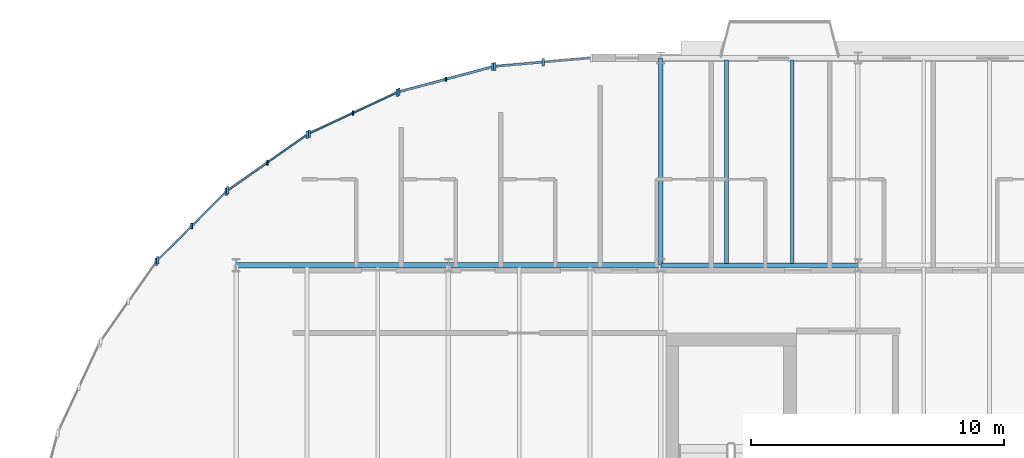
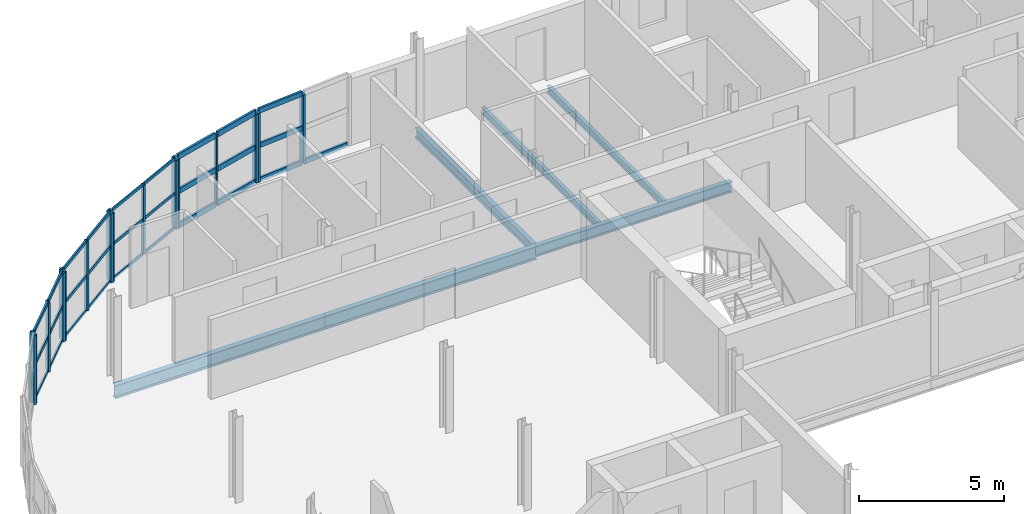
# One storey, part 11 of 36: 43 members, 6 beams, 6 elements without a shape of their own.
"""IFC4 building model written with IfcOpenShell, lengths in metres."""

import ifcopenshell
import ifcopenshell.guid

model = None  # the IFC model being written
_history = None  # IfcOwnerHistory: only IFC2X3 demands one
_inside = {}  # id of a spatial element -> (the spatial element, [elements in it])
_under = {}  # id of a project, library or spatial element -> (it, [spatial elements below it])
_declared = {}  # id of a project -> (the project, [libraries it declares])
_typed = {}  # id of a type object -> (the type object, [elements of that type])
_made_of = {}  # id of a material, layer set ... -> (it, [elements and type objects made of it])


def new_model(schema):
    """Start an empty IFC model of exactly this schema.

    Asked for "IFC4X3", IfcOpenShell would pick the latest addendum, in which some entities
    have other attributes; the version numbers below select the first issue.
    IFC2X3 requires an IfcOwnerHistory on every rooted entity: one is made here for all.
    """
    global model, _history
    if schema == "IFC4X3":
        model = ifcopenshell.file(schema_version=(4, 3, 0, 0))
    else:
        model = ifcopenshell.file(schema=schema)
    _inside.clear()
    _under.clear()
    _declared.clear()
    _typed.clear()
    _made_of.clear()
    _history = None
    if model.schema == "IFC2X3":
        org = make("IfcOrganization", Name="unknown")
        user = make(
            "IfcPersonAndOrganization",
            ThePerson=make("IfcPerson", FamilyName="unknown"),
            TheOrganization=org,
        )
        app = make(
            "IfcApplication",
            ApplicationDeveloper=org,
            Version="unknown",
            ApplicationFullName="unknown",
            ApplicationIdentifier="unknown",
        )
        _history = make(
            "IfcOwnerHistory",
            OwningUser=user,
            OwningApplication=app,
            ChangeAction="ADDED",
            CreationDate=0,
        )
    return model


def make(cls, **values):
    """One entity of the class cls with the attributes given. An attribute that is None is left unset."""
    return model.create_entity(
        cls, **{name: value for name, value in values.items() if value is not None}
    )


def rooted(cls, **values):
    """An entity with a GlobalId (a new one), such as an element, a storey or a relation."""
    return make(cls, GlobalId=ifcopenshell.guid.new(), OwnerHistory=_history, **values)


def si_unit(unit_type, name, prefix=None):
    """IfcSIUnit, for example si_unit("LENGTHUNIT", "METRE", prefix="MILLI")."""
    return make("IfcSIUnit", UnitType=unit_type, Prefix=prefix, Name=name)


def assignment(units):
    """IfcUnitAssignment: the units of a project."""
    return None if units is None else make("IfcUnitAssignment", Units=units)


def point(xyz):
    """IfcCartesianPoint."""
    return None if xyz is None else make("IfcCartesianPoint", Coordinates=xyz)


def direction(xyz):
    """IfcDirection."""
    return None if xyz is None else make("IfcDirection", DirectionRatios=xyz)


def frame(location, z_axis=None, x_axis=None):
    """IfcAxis2Placement3D, a coordinate frame: its origin and axes. An axis left out is left unset."""
    return make(
        "IfcAxis2Placement3D",
        Location=point(location),
        Axis=direction(z_axis),
        RefDirection=direction(x_axis),
    )


def frame_2d(location, x_axis=None):
    """IfcAxis2Placement2D, a coordinate frame in the plane: its origin and x axis."""
    return make(
        "IfcAxis2Placement2D", Location=point(location), RefDirection=direction(x_axis)
    )


def origin():
    """The frame at (0, 0, 0) with its axes left unset."""
    return frame((0.0, 0.0, 0.0))


def origin_2d():
    """The frame at (0, 0) in the plane with its x axis left unset."""
    return frame_2d((0.0, 0.0))


def place(relative_to, where):
    """IfcLocalPlacement: puts the frame where relative to a parent placement (None: the world)."""
    return make(
        "IfcLocalPlacement", PlacementRelTo=relative_to, RelativePlacement=where
    )


def context(
    kind, dimensions, precision=None, world=None, true_north=None, identifier=None
):
    """IfcGeometricRepresentationContext, for example the 3D "Model" context."""
    return make(
        "IfcGeometricRepresentationContext",
        ContextIdentifier=identifier,
        ContextType=kind,
        CoordinateSpaceDimension=dimensions,
        Precision=precision,
        WorldCoordinateSystem=world,
        TrueNorth=true_north,
    )


def subcontext(parent, identifier, kind, view, scale=None):
    """IfcGeometricRepresentationSubContext, for example "Body" below "Model"."""
    return make(
        "IfcGeometricRepresentationSubContext",
        ContextIdentifier=identifier,
        ContextType=kind,
        ParentContext=parent,
        TargetScale=scale,
        TargetView=view,
    )


def project(units=None, contexts=None):
    """IfcProject with its units and contexts."""
    return rooted(
        "IfcProject",
        Name="project",
        RepresentationContexts=contexts,
        UnitsInContext=assignment(units),
    )


def spatial(cls, under=None, at=None, **own):
    """A site, building, storey or space (cls), placed at a placement, below another one or the project."""
    s = rooted(cls, ObjectPlacement=at, **own)
    if under is not None:
        _under.setdefault(under.id(), (under, []))[1].append(s)
    return s


def profile(cls, at=None, kind="AREA", **sizes):
    """A parametric profile (cls). Its sizes go by their IFC names, for example OverallWidth=200.0."""
    return make(cls, ProfileType=kind, Position=at, **sizes)


def rectangle(**sizes):
    """IfcRectangleProfileDef."""
    return profile("IfcRectangleProfileDef", **sizes)


def i_section(**sizes):
    """IfcIShapeProfileDef."""
    return profile("IfcIShapeProfileDef", **sizes)


def extrude(swept, where, along, depth):
    """IfcExtrudedAreaSolid: the profile swept, set in the frame where, extruded along a direction by depth."""
    return make(
        "IfcExtrudedAreaSolid",
        SweptArea=swept,
        Position=where,
        ExtrudedDirection=direction(along),
        Depth=depth,
    )


def shape(context_of_items, identifier, shape_type, items):
    """IfcShapeRepresentation: the items that make up one representation, for example the "Body"."""
    return make(
        "IfcShapeRepresentation",
        ContextOfItems=context_of_items,
        RepresentationIdentifier=identifier,
        RepresentationType=shape_type,
        Items=items,
    )


def material(Name=None, Category=None):
    """IfcMaterial."""
    return make("IfcMaterial", Name=Name, Category=Category)


def layer(
    of_material, thickness, ventilated=None, Name=None, Category=None, Priority=None
):
    """IfcMaterialLayer: one layer of a wall or slab, of a material (None: an air gap)."""
    return make(
        "IfcMaterialLayer",
        Material=of_material,
        LayerThickness=thickness,
        IsVentilated=ventilated,
        Name=Name,
        Category=Category,
        Priority=Priority,
    )


def layer_set(layers, Name=None):
    """IfcMaterialLayerSet."""
    return make("IfcMaterialLayerSet", MaterialLayers=layers, LayerSetName=Name)


def material_profile(
    of_material, cross_section, Name=None, Category=None, Priority=None
):
    """IfcMaterialProfile: a cross section and its material."""
    return make(
        "IfcMaterialProfile",
        Name=Name,
        Material=of_material,
        Profile=cross_section,
        Priority=Priority,
        Category=Category,
    )


def profile_set(profiles, Name=None, composite=None):
    """IfcMaterialProfileSet."""
    return make(
        "IfcMaterialProfileSet",
        Name=Name,
        MaterialProfiles=profiles,
        CompositeProfile=composite,
    )


def made_of(thing, what):
    """Note that an element or type object is made of a material, layer set ...; save() writes the relation."""
    if what is not None:
        _made_of.setdefault(what.id(), (what, []))[1].append(thing)
    return thing


def type_object(cls, material=None, **own):
    """A type object (cls), such as IfcWallType, which elements share."""
    return made_of(rooted(cls, **own), material)


def element(
    cls,
    number,
    at=None,
    inside=None,
    cuts=None,
    type_object=None,
    material=None,
    context=None,
    identifier="Body",
    shape_type=None,
    held_by="IfcProductDefinitionShape",
    body=None,
    shapes=None,
    **own,
):
    """One element of the class cls, such as IfcWall. Its Tag is "e" and its number.

    at: its placement. inside: the storey or other place that contains it. cuts: it is an
    opening in that element (IfcRelVoidsElement). A single representation is given by context,
    identifier, shape_type and body (its items); several are given by shapes. held_by: the class
    of the entity that holds the representations. save() writes the other relations.
    """
    e = rooted(cls, Tag="e%d" % number, ObjectPlacement=at, **own)
    if body is not None:
        shapes = [shape(context, identifier, shape_type, body)]
    if shapes is not None:
        e.Representation = make(held_by, Representations=shapes)
    if inside is not None:
        _inside.setdefault(inside.id(), (inside, []))[1].append(e)
    if cuts is not None:
        rooted(
            "IfcRelVoidsElement", RelatingBuildingElement=cuts, RelatedOpeningElement=e
        )
    if type_object is not None:
        _typed.setdefault(type_object.id(), (type_object, []))[1].append(e)
    return made_of(e, material)


def aggregate(whole, parts):
    """IfcRelAggregates: a whole, such as a stair, and the parts it consists of."""
    return rooted("IfcRelAggregates", RelatingObject=whole, RelatedObjects=parts)


def save(model, path):
    """Write the relations noted so far, then the file.

    IfcRelAggregates (storeys below a building ...), IfcRelContainedInSpatialStructure (elements
    in a storey), IfcRelDefinesByType, IfcRelAssociatesMaterial and IfcRelDeclares: one each for
    every whole, place, type object, material and project.
    """
    for whole, parts in _under.values():
        aggregate(whole, parts)
    for where, things in _inside.values():
        rooted(
            "IfcRelContainedInSpatialStructure",
            RelatedElements=things,
            RelatingStructure=where,
        )
    for kind, things in _typed.values():
        rooted("IfcRelDefinesByType", RelatedObjects=things, RelatingType=kind)
    for what, things in _made_of.values():
        rooted("IfcRelAssociatesMaterial", RelatedObjects=things, RelatingMaterial=what)
    for by, libraries in _declared.values():
        rooted("IfcRelDeclares", RelatingContext=by, RelatedDefinitions=libraries)
    model.write(path)


model = new_model("IFC4")

# Units and contexts
model_context = context("Model", 3, precision=1e-05, world=origin(), true_north=direction((0.0, 1.0)))
body_context = subcontext(model_context, "Body", "Model", "MODEL_VIEW")
ifc_project = project(units=[si_unit("LENGTHUNIT", "METRE"), si_unit("AREAUNIT", "SQUARE_METRE"), si_unit("VOLUMEUNIT", "CUBIC_METRE"), si_unit("PLANEANGLEUNIT", "RADIAN"), si_unit("MASSUNIT", "GRAM", prefix="KILO")], contexts=[model_context])

# Site, building, storey
site_placement = place(None, origin())
site = spatial("IfcSite", under=ifc_project, at=site_placement, CompositionType="ELEMENT")
building_placement = place(site_placement, origin())
building = spatial("IfcBuilding", under=site, at=building_placement, Name="Sefraquen Railside Congress Hotel", CompositionType="ELEMENT")
storey_placement = place(building_placement, frame((0.0, 0.0, 28.199951171875)))
storey = spatial("IfcBuildingStorey", under=building, at=storey_placement, Name="L06", CompositionType="ELEMENT", Elevation=28.199951171875)

# Beams
ifc_material_1 = material(Name="Steel S355JR", Category="steel")
ifc_material_profile_1 = material_profile(ifc_material_1, i_section(OverallWidth=0.179931640625, OverallDepth=0.39990234375, WebThickness=0.008544921875, FlangeThickness=0.013427734375, FilletRadius=0.02099609375, at=origin_2d()), Name="IPE 400")
ifc_profile_set_1 = profile_set([ifc_material_profile_1], Name="Steel S355JR")
beam_type_1 = type_object("IfcBeamType", Name="TB-BM-400I", PredefinedType="BEAM", material=ifc_profile_set_1)
beam_1_placement = place(storey_placement, frame((25.199951171875, 109.800048828125, -0.4599609375), z_axis=(0.0, 1.0, 0.0), x_axis=(-1.0, 0.0, 0.0)))
element("IfcBeam", 1, at=beam_1_placement, inside=storey, type_object=beam_type_1, Name="Floor beam BM-L06-1670", PredefinedType="BEAM", context=body_context, shape_type="SweptSolid", body=[
    extrude(i_section(OverallWidth=0.179931640625, OverallDepth=0.39990234375, WebThickness=0.008544921875, FlangeThickness=0.013427734375, FilletRadius=0.02099609375, at=origin_2d()), origin(), (0.0, 0.0, 1.0), 8.199951171875),
])
ifc_material_profile_2 = material_profile(ifc_material_1, i_section(OverallWidth=0.18994140625, OverallDepth=0.449951171875, WebThickness=0.009521484375, FlangeThickness=0.0146484375, FilletRadius=0.02099609375, at=origin_2d()), Name="IPE 450")
ifc_profile_set_2 = profile_set([ifc_material_profile_2], Name="Steel S355JR")
beam_type_2 = type_object("IfcBeamType", Name="TB-BM-450", PredefinedType="BEAM", material=ifc_profile_set_2)
beam_2_placement = place(storey_placement, frame((25.199951171875, 109.800048828125, -0.48486328125), z_axis=(1.0, 0.0, 0.0), x_axis=(0.0, 1.0, 0.0)))
element("IfcBeam", 2, at=beam_2_placement, inside=storey, type_object=beam_type_2, Name="Primary girder BM-L06-1625", PredefinedType="BEAM", context=body_context, shape_type="SweptSolid", body=[
    extrude(i_section(OverallWidth=0.18994140625, OverallDepth=0.449951171875, WebThickness=0.009521484375, FlangeThickness=0.0146484375, FilletRadius=0.02099609375, at=origin_2d()), origin(), (0.0, 0.0, 1.0), 7.800048828125),
])
ifc_material_profile_3 = material_profile(ifc_material_1, i_section(OverallWidth=0.2099609375, OverallDepth=0.550048828125, WebThickness=0.010986328125, FlangeThickness=0.01708984375, FilletRadius=0.02392578125, at=origin_2d()), Name="IPE 550")
ifc_profile_set_3 = profile_set([ifc_material_profile_3], Name="Steel S355JR")
beam_type_3 = type_object("IfcBeamType", Name="TB-GIR-550", PredefinedType="T_BEAM", material=ifc_profile_set_3)
beam_3_placement = place(storey_placement, frame((8.39990234375, 109.800048828125, -0.534912109375), z_axis=(1.0, 0.0, 0.0), x_axis=(0.0, 1.0, 0.0)))
element("IfcBeam", 3, at=beam_3_placement, inside=storey, type_object=beam_type_3, Name="Primary girder BM-L06-1623", PredefinedType="T_BEAM", context=body_context, shape_type="SweptSolid", body=[
    extrude(i_section(OverallWidth=0.2099609375, OverallDepth=0.550048828125, WebThickness=0.010986328125, FlangeThickness=0.01708984375, FilletRadius=0.02392578125, at=origin_2d()), origin(), (0.0, 0.0, 1.0), 8.400146484375),
])
beam_4_placement = place(storey_placement, frame((16.800048828125, 109.800048828125, -0.534912109375), z_axis=(1.0, 0.0, 0.0), x_axis=(0.0, 1.0, 0.0)))
element("IfcBeam", 4, at=beam_4_placement, inside=storey, type_object=beam_type_3, Name="Primary girder BM-L06-1624", PredefinedType="T_BEAM", context=body_context, shape_type="SweptSolid", body=[
    extrude(i_section(OverallWidth=0.2099609375, OverallDepth=0.550048828125, WebThickness=0.010986328125, FlangeThickness=0.01708984375, FilletRadius=0.02392578125, at=origin_2d()), origin(), (0.0, 0.0, 1.0), 8.39990234375),
])
ifc_material_profile_4 = material_profile(ifc_material_1, i_section(OverallWidth=0.14990234375, OverallDepth=0.300048828125, WebThickness=0.007080078125, FlangeThickness=0.0107421875, FilletRadius=0.014892578125, at=origin_2d()), Name="IPE 300")
ifc_profile_set_4 = profile_set([ifc_material_profile_4], Name="Steel S355JR")
beam_type_4 = type_object("IfcBeamType", Name="TB-JST-300", PredefinedType="JOIST", material=ifc_profile_set_4)
for number, where, z_axis, x_axis, name in (
    (5, (27.800048828125, 109.875, -0.409912109375), (0.0, 1.0, 0.0), (-1.0, 0.0, 0.0), "Composite floor joist BM-L06-J1080"),
    (6, (30.39990234375, 109.875, -0.409912109375), (0.0, 1.0, 0.0), (-1.0, 0.0, 0.0), "Composite floor joist BM-L06-J1081"),
):
    element("IfcBeam", number, at=place(storey_placement, frame(where, z_axis=z_axis, x_axis=x_axis)), inside=storey, type_object=beam_type_4, Name=name, PredefinedType="JOIST", context=body_context, shape_type="SweptSolid", body=[
        extrude(i_section(OverallWidth=0.14990234375, OverallDepth=0.300048828125, WebThickness=0.007080078125, FlangeThickness=0.0107421875, FilletRadius=0.014892578125, at=origin_2d()), origin(), (0.0, 0.0, 1.0), 8.050048828125),
    ])

# Curtain wall, member
ifc_material_2 = material(Name="Thermally broken anodised aluminium and low-E double glazing", Category="aluminium")
ifc_layer_1 = layer(ifc_material_2, 0.199951171875)
ifc_layer_set_1 = layer_set([ifc_layer_1], Name="Thermally broken anodised aluminium and low-E double glazing")
curtain_wall_type_1 = type_object("IfcCurtainWallType", Name="TCW-UCW-24", PredefinedType="USERDEFINED", material=ifc_layer_set_1)
curtain_wall_1_placement = place(storey_placement, origin())
curtain_wall_1 = element("IfcCurtainWall", 7, at=curtain_wall_1_placement, inside=storey, type_object=curtain_wall_type_1, Name="Rotunda L06 curved curtain wall facet 2", ObjectType="UNITISED CURTAIN WALL", PredefinedType="USERDEFINED")
ifc_material_3 = material(Name="Thermally broken anodised aluminium 6063-T6", Category="aluminium")
ifc_material_profile_5 = material_profile(ifc_material_3, rectangle(XDim=0.06005859375, YDim=0.159912109375, at=origin_2d()), Name="CWM 60x160")
ifc_profile_set_5 = profile_set([ifc_material_profile_5], Name="Thermally broken anodised aluminium 6063-T6")
member_type_1 = type_object("IfcMemberType", Name="TM-CWM-01", PredefinedType="MULLION", material=ifc_profile_set_5)
member_1_placement = place(storey_placement, frame((16.69873046875, 117.150634765625, 0.0), z_axis=(0.0, 0.0, 1.0), x_axis=(1.0, 0.0, 0.0)))
member_1 = element("IfcMember", 8, at=member_1_placement, type_object=member_type_1, Name="CW-L06-ROT-02 mullion 2", PredefinedType="MULLION", context=body_context, shape_type="SweptSolid", body=[
    extrude(rectangle(XDim=0.06005859375, YDim=0.159912109375, at=origin_2d()), origin(), (0.0, 0.0, 1.0), 2.91015625),
])

ifc_layer_2 = layer(ifc_material_2, 0.199951171875)
ifc_layer_set_2 = layer_set([ifc_layer_2], Name="Thermally broken anodised aluminium and low-E double glazing")
curtain_wall_type_2 = type_object("IfcCurtainWallType", Name="TCW-UCW-25", PredefinedType="USERDEFINED", material=ifc_layer_set_2)
curtain_wall_2_placement = place(storey_placement, origin())
curtain_wall_2 = element("IfcCurtainWall", 9, at=curtain_wall_2_placement, inside=storey, type_object=curtain_wall_type_2, Name="Rotunda L06 curved curtain wall facet 3", ObjectType="UNITISED CURTAIN WALL", PredefinedType="USERDEFINED")
ifc_material_profile_6 = material_profile(ifc_material_3, rectangle(XDim=0.06494140625, YDim=0.179931640625, at=origin_2d()), Name="CWM 65x180")
ifc_profile_set_6 = profile_set([ifc_material_profile_6], Name="Thermally broken anodised aluminium 6063-T6")
member_type_2 = type_object("IfcMemberType", Name="TM-CWM-02", PredefinedType="MULLION", material=ifc_profile_set_6)
member_2_placement = place(storey_placement, frame((13.02734375, 115.814208984375, 0.0), z_axis=(0.0, 0.0, 1.0), x_axis=(1.0, 0.0, 0.0)))
member_2 = element("IfcMember", 10, at=member_2_placement, type_object=member_type_2, Name="CW-L06-ROT-03 mullion 2", PredefinedType="MULLION", context=body_context, shape_type="SweptSolid", body=[
    extrude(rectangle(XDim=0.06494140625, YDim=0.179931640625, at=origin_2d()), origin(), (0.0, 0.0, 1.0), 2.91015625),
])

ifc_layer_3 = layer(ifc_material_2, 0.199951171875)
ifc_layer_set_3 = layer_set([ifc_layer_3], Name="Thermally broken anodised aluminium and low-E double glazing")
curtain_wall_type_3 = type_object("IfcCurtainWallType", Name="TCW-UCW-26", PredefinedType="USERDEFINED", material=ifc_layer_set_3)
curtain_wall_3_placement = place(storey_placement, origin())
curtain_wall_3 = element("IfcCurtainWall", 11, at=curtain_wall_3_placement, inside=storey, type_object=curtain_wall_type_3, Name="Rotunda L06 curved curtain wall facet 4", ObjectType="UNITISED CURTAIN WALL", PredefinedType="USERDEFINED")
ifc_material_profile_7 = material_profile(ifc_material_3, rectangle(XDim=0.070068359375, YDim=0.199951171875, at=origin_2d()), Name="CWM 70x200")
ifc_profile_set_7 = profile_set([ifc_material_profile_7], Name="Thermally broken anodised aluminium 6063-T6")
member_type_3 = type_object("IfcMemberType", Name="TM-CWM-03", PredefinedType="MULLION", material=ifc_profile_set_7)
member_3_placement = place(storey_placement, frame((9.643798828125, 113.86083984375, 0.0), z_axis=(0.0, 0.0, 1.0), x_axis=(1.0, 0.0, 0.0)))
member_3 = element("IfcMember", 12, at=member_3_placement, type_object=member_type_3, Name="CW-L06-ROT-04 mullion 2", PredefinedType="MULLION", context=body_context, shape_type="SweptSolid", body=[
    extrude(rectangle(XDim=0.070068359375, YDim=0.199951171875, at=origin_2d()), origin(), (0.0, 0.0, 1.0), 2.91015625),
])

ifc_layer_4 = layer(ifc_material_2, 0.199951171875)
ifc_layer_set_4 = layer_set([ifc_layer_4], Name="Thermally broken anodised aluminium and low-E double glazing")
curtain_wall_type_4 = type_object("IfcCurtainWallType", Name="TCW-UCW-27", PredefinedType="USERDEFINED", material=ifc_layer_set_4)
curtain_wall_4_placement = place(storey_placement, origin())
curtain_wall_4 = element("IfcCurtainWall", 13, at=curtain_wall_4_placement, inside=storey, type_object=curtain_wall_type_4, Name="Rotunda L06 curved curtain wall facet 5", ObjectType="UNITISED CURTAIN WALL", PredefinedType="USERDEFINED")
ifc_material_profile_8 = material_profile(ifc_material_3, rectangle(XDim=0.074951171875, YDim=0.219970703125, at=origin_2d()), Name="CWM 75x220")
ifc_profile_set_8 = profile_set([ifc_material_profile_8], Name="Thermally broken anodised aluminium 6063-T6")
member_type_4 = type_object("IfcMemberType", Name="TM-CWM-04", PredefinedType="MULLION", material=ifc_profile_set_8)
member_4_placement = place(storey_placement, frame((6.650634765625, 111.349365234375, 0.0), z_axis=(0.0, 0.0, 1.0), x_axis=(1.0, 0.0, 0.0)))
member_4 = element("IfcMember", 14, at=member_4_placement, type_object=member_type_4, Name="CW-L06-ROT-05 mullion 2", PredefinedType="MULLION", context=body_context, shape_type="SweptSolid", body=[
    extrude(rectangle(XDim=0.074951171875, YDim=0.219970703125, at=origin_2d()), origin(), (0.0, 0.0, 1.0), 2.91015625),
])

# Curtain wall, members
ifc_layer_5 = layer(ifc_material_2, 0.199951171875)
ifc_layer_set_5 = layer_set([ifc_layer_5], Name="Thermally broken anodised aluminium and low-E double glazing")
curtain_wall_type_5 = type_object("IfcCurtainWallType", Name="TCW-UCW-23", PredefinedType="USERDEFINED", material=ifc_layer_set_5)
curtain_wall_5_placement = place(storey_placement, origin())
curtain_wall_5 = element("IfcCurtainWall", 15, at=curtain_wall_5_placement, inside=storey, type_object=curtain_wall_type_5, Name="Rotunda L06 curved curtain wall facet 1", ObjectType="UNITISED CURTAIN WALL", PredefinedType="USERDEFINED")
ifc_material_profile_9 = material_profile(ifc_material_3, rectangle(XDim=0.090087890625, YDim=0.280029296875, at=origin_2d()), Name="CWM 90x280")
ifc_profile_set_9 = profile_set([ifc_material_profile_9], Name="Thermally broken anodised aluminium 6063-T6")
member_type_5 = type_object("IfcMemberType", Name="TM-CWM-07", PredefinedType="MULLION", material=ifc_profile_set_9)
member_5_placement = place(storey_placement, frame((20.54638671875, 117.8291015625, 0.0), z_axis=(0.0, 0.0, 1.0), x_axis=(1.0, 0.0, 0.0)))
member_5 = element("IfcMember", 16, at=member_5_placement, type_object=member_type_5, Name="CW-L06-ROT-01 mullion 2", PredefinedType="MULLION", context=body_context, shape_type="SweptSolid", body=[
    extrude(rectangle(XDim=0.090087890625, YDim=0.280029296875, at=origin_2d()), origin(), (0.0, 0.0, 1.0), 2.91015625),
])
ifc_material_profile_10 = material_profile(ifc_material_3, rectangle(XDim=0.094970703125, YDim=0.300048828125, at=origin_2d()), Name="CWM 95x300")
ifc_profile_set_10 = profile_set([ifc_material_profile_10], Name="Thermally broken anodised aluminium 6063-T6")
member_type_6 = type_object("IfcMemberType", Name="TM-CWM-08", PredefinedType="MULLION", material=ifc_profile_set_10)
member_6_placement = place(storey_placement, frame((18.6328125, 117.66162109375, 0.0), z_axis=(0.0, 0.0, 1.0), x_axis=(1.0, 0.0, 0.0)))
member_6 = element("IfcMember", 17, at=member_6_placement, type_object=member_type_6, Name="CW-L06-ROT-01 mullion 3", PredefinedType="MULLION", context=body_context, shape_type="SweptSolid", body=[
    extrude(rectangle(XDim=0.094970703125, YDim=0.300048828125, at=origin_2d()), origin(), (0.0, 0.0, 1.0), 2.91015625),
])

# Member
member_7_placement = place(storey_placement, frame((18.55419921875, 117.647705078125, 0.0), z_axis=(0.0, 0.0, 1.0), x_axis=(1.0, 0.0, 0.0)))
member_7 = element("IfcMember", 18, at=member_7_placement, type_object=member_type_6, Name="CW-L06-ROT-02 mullion 1", PredefinedType="MULLION", context=body_context, shape_type="SweptSolid", body=[
    extrude(rectangle(XDim=0.094970703125, YDim=0.300048828125, at=origin_2d()), origin(), (0.0, 0.0, 1.0), 2.91015625),
])

member_8_placement = place(storey_placement, frame((14.843017578125, 116.653564453125, 0.0), z_axis=(0.0, 0.0, 1.0), x_axis=(1.0, 0.0, 0.0)))
member_8 = element("IfcMember", 19, at=member_8_placement, type_object=member_type_6, Name="CW-L06-ROT-02 mullion 3", PredefinedType="MULLION", context=body_context, shape_type="SweptSolid", body=[
    extrude(rectangle(XDim=0.094970703125, YDim=0.300048828125, at=origin_2d()), origin(), (0.0, 0.0, 1.0), 2.91015625),
])

member_9_placement = place(storey_placement, frame((14.768310546875, 116.626220703125, 0.0), z_axis=(0.0, 0.0, 1.0), x_axis=(1.0, 0.0, 0.0)))
member_9 = element("IfcMember", 20, at=member_9_placement, type_object=member_type_6, Name="CW-L06-ROT-03 mullion 1", PredefinedType="MULLION", context=body_context, shape_type="SweptSolid", body=[
    extrude(rectangle(XDim=0.094970703125, YDim=0.300048828125, at=origin_2d()), origin(), (0.0, 0.0, 1.0), 2.91015625),
])

member_10_placement = place(storey_placement, frame((11.286376953125, 115.00244140625, 0.0), z_axis=(0.0, 0.0, 1.0), x_axis=(1.0, 0.0, 0.0)))
member_10 = element("IfcMember", 21, at=member_10_placement, type_object=member_type_6, Name="CW-L06-ROT-03 mullion 3", PredefinedType="MULLION", context=body_context, shape_type="SweptSolid", body=[
    extrude(rectangle(XDim=0.094970703125, YDim=0.300048828125, at=origin_2d()), origin(), (0.0, 0.0, 1.0), 2.91015625),
])

member_11_placement = place(storey_placement, frame((11.21728515625, 114.962646484375, 0.0), z_axis=(0.0, 0.0, 1.0), x_axis=(1.0, 0.0, 0.0)))
member_11 = element("IfcMember", 22, at=member_11_placement, type_object=member_type_6, Name="CW-L06-ROT-04 mullion 1", PredefinedType="MULLION", context=body_context, shape_type="SweptSolid", body=[
    extrude(rectangle(XDim=0.094970703125, YDim=0.300048828125, at=origin_2d()), origin(), (0.0, 0.0, 1.0), 2.91015625),
])

member_12_placement = place(storey_placement, frame((8.070068359375, 112.7587890625, 0.0), z_axis=(0.0, 0.0, 1.0), x_axis=(1.0, 0.0, 0.0)))
member_12 = element("IfcMember", 23, at=member_12_placement, type_object=member_type_6, Name="CW-L06-ROT-04 mullion 3", PredefinedType="MULLION", context=body_context, shape_type="SweptSolid", body=[
    extrude(rectangle(XDim=0.094970703125, YDim=0.300048828125, at=origin_2d()), origin(), (0.0, 0.0, 1.0), 2.91015625),
])

member_13_placement = place(storey_placement, frame((8.009033203125, 112.707763671875, 0.0), z_axis=(0.0, 0.0, 1.0), x_axis=(1.0, 0.0, 0.0)))
member_13 = element("IfcMember", 24, at=member_13_placement, type_object=member_type_6, Name="CW-L06-ROT-05 mullion 1", PredefinedType="MULLION", context=body_context, shape_type="SweptSolid", body=[
    extrude(rectangle(XDim=0.094970703125, YDim=0.300048828125, at=origin_2d()), origin(), (0.0, 0.0, 1.0), 2.91015625),
])

member_14_placement = place(storey_placement, frame((5.292236328125, 109.990966796875, 0.0), z_axis=(0.0, 0.0, 1.0), x_axis=(1.0, 0.0, 0.0)))
member_14 = element("IfcMember", 25, at=member_14_placement, type_object=member_type_6, Name="CW-L06-ROT-05 mullion 3", PredefinedType="MULLION", context=body_context, shape_type="SweptSolid", body=[
    extrude(rectangle(XDim=0.094970703125, YDim=0.300048828125, at=origin_2d()), origin(), (0.0, 0.0, 1.0), 2.91015625),
])

# Curtain wall, member
ifc_layer_6 = layer(ifc_material_2, 0.199951171875)
ifc_layer_set_6 = layer_set([ifc_layer_6], Name="Thermally broken anodised aluminium and low-E double glazing")
curtain_wall_type_6 = type_object("IfcCurtainWallType", Name="TCW-UCW-28", PredefinedType="USERDEFINED", material=ifc_layer_set_6)
curtain_wall_6_placement = place(storey_placement, origin())
curtain_wall_6 = element("IfcCurtainWall", 26, at=curtain_wall_6_placement, inside=storey, type_object=curtain_wall_type_6, Name="Rotunda L06 curved curtain wall facet 6", ObjectType="UNITISED CURTAIN WALL", PredefinedType="USERDEFINED")
member_15_placement = place(storey_placement, frame((5.2412109375, 109.929931640625, 0.0), z_axis=(0.0, 0.0, 1.0), x_axis=(1.0, 0.0, 0.0)))
member_15 = element("IfcMember", 27, at=member_15_placement, type_object=member_type_6, Name="CW-L06-ROT-06 mullion 1", PredefinedType="MULLION", context=body_context, shape_type="SweptSolid", body=[
    extrude(rectangle(XDim=0.094970703125, YDim=0.300048828125, at=origin_2d()), origin(), (0.0, 0.0, 1.0), 2.91015625),
])
aggregate(curtain_wall_6, [member_15])

# Member
ifc_material_profile_11 = material_profile(ifc_material_3, rectangle(XDim=0.06005859375, YDim=0.1201171875, at=origin_2d()), Name="CWT 60x120")
ifc_profile_set_11 = profile_set([ifc_material_profile_11], Name="Thermally broken anodised aluminium 6063-T6")
member_type_7 = type_object("IfcMemberType", Name="TM-CWT-01", PredefinedType="USERDEFINED", material=ifc_profile_set_11)
member_16_placement = place(storey_placement, frame((14.727294921875, 116.607177734375, 0.0), z_axis=(-0.906309158253, -0.422615321145, 0.0), x_axis=(0.422615321145, -0.906309158253, 0.0)))
member_16 = element("IfcMember", 28, at=member_16_placement, type_object=member_type_7, Name="CW-L06-ROT-03 transom 1.1", ObjectType="TRANSOM", PredefinedType="USERDEFINED", context=body_context, shape_type="SweptSolid", body=[
    extrude(rectangle(XDim=0.06005859375, YDim=0.1201171875, at=origin_2d()), origin(), (0.0, 0.0, 1.0), 1.830810546875),
])

member_17_placement = place(storey_placement, frame((12.986572265625, 115.79541015625, 0.0), z_axis=(-0.906281900386, -0.422673771403, 0.0), x_axis=(0.422673771403, -0.906281900386, 0.0)))
member_17 = element("IfcMember", 29, at=member_17_placement, type_object=member_type_7, Name="CW-L06-ROT-03 transom 1.2", ObjectType="TRANSOM", PredefinedType="USERDEFINED", context=body_context, shape_type="SweptSolid", body=[
    extrude(rectangle(XDim=0.06005859375, YDim=0.1201171875, at=origin_2d()), origin(), (0.0, 0.0, 1.0), 1.8310546875),
])

member_18_placement = place(storey_placement, frame((14.727294921875, 116.607177734375, 1.455078125), z_axis=(-0.906309158253, -0.422615321145, 0.0), x_axis=(0.422615321145, -0.906309158253, 0.0)))
member_18 = element("IfcMember", 30, at=member_18_placement, type_object=member_type_7, Name="CW-L06-ROT-03 transom 2.1", ObjectType="TRANSOM", PredefinedType="USERDEFINED", context=body_context, shape_type="SweptSolid", body=[
    extrude(rectangle(XDim=0.06005859375, YDim=0.1201171875, at=origin_2d()), origin(), (0.0, 0.0, 1.0), 1.830810546875),
])

member_19_placement = place(storey_placement, frame((12.986572265625, 115.79541015625, 1.455078125), z_axis=(-0.906281900386, -0.422673771403, 0.0), x_axis=(0.422673771403, -0.906281900386, 0.0)))
member_19 = element("IfcMember", 31, at=member_19_placement, type_object=member_type_7, Name="CW-L06-ROT-03 transom 2.2", ObjectType="TRANSOM", PredefinedType="USERDEFINED", context=body_context, shape_type="SweptSolid", body=[
    extrude(rectangle(XDim=0.06005859375, YDim=0.1201171875, at=origin_2d()), origin(), (0.0, 0.0, 1.0), 1.8310546875),
])

member_20_placement = place(storey_placement, frame((14.727294921875, 116.607177734375, 2.91015625), z_axis=(-0.906309158253, -0.422615321145, 0.0), x_axis=(0.422615321145, -0.906309158253, 0.0)))
member_20 = element("IfcMember", 32, at=member_20_placement, type_object=member_type_7, Name="CW-L06-ROT-03 transom 3.1", ObjectType="TRANSOM", PredefinedType="USERDEFINED", context=body_context, shape_type="SweptSolid", body=[
    extrude(rectangle(XDim=0.06005859375, YDim=0.1201171875, at=origin_2d()), origin(), (0.0, 0.0, 1.0), 1.830810546875),
])

member_21_placement = place(storey_placement, frame((12.986572265625, 115.79541015625, 2.91015625), z_axis=(-0.906281900386, -0.422673771403, 0.0), x_axis=(0.422673771403, -0.906281900386, 0.0)))
member_21 = element("IfcMember", 33, at=member_21_placement, type_object=member_type_7, Name="CW-L06-ROT-03 transom 3.2", ObjectType="TRANSOM", PredefinedType="USERDEFINED", context=body_context, shape_type="SweptSolid", body=[
    extrude(rectangle(XDim=0.06005859375, YDim=0.1201171875, at=origin_2d()), origin(), (0.0, 0.0, 1.0), 1.8310546875),
])

aggregate(curtain_wall_2, [member_9, member_2, member_10, member_16, member_17, member_18, member_19, member_20, member_21])

ifc_material_profile_12 = material_profile(ifc_material_3, rectangle(XDim=0.06494140625, YDim=0.135009765625, at=origin_2d()), Name="CWT 65x135")
ifc_profile_set_12 = profile_set([ifc_material_profile_12], Name="Thermally broken anodised aluminium 6063-T6")
member_type_8 = type_object("IfcMemberType", Name="TM-CWT-02", PredefinedType="USERDEFINED", material=ifc_profile_set_12)
member_22_placement = place(storey_placement, frame((11.180419921875, 114.93701171875, 0.0), z_axis=(-0.819156749665, -0.573569716318, 0.0), x_axis=(0.573569716318, -0.819156749665, 0.0)))
member_22 = element("IfcMember", 34, at=member_22_placement, type_object=member_type_8, Name="CW-L06-ROT-04 transom 1.1", ObjectType="TRANSOM", PredefinedType="USERDEFINED", context=body_context, shape_type="SweptSolid", body=[
    extrude(rectangle(XDim=0.06494140625, YDim=0.135009765625, at=origin_2d()), origin(), (0.0, 0.0, 1.0), 1.8310546875),
])

member_23_placement = place(storey_placement, frame((9.606689453125, 113.8349609375, 0.0), z_axis=(-0.819175533227, -0.573542889209, 0.0), x_axis=(0.573542889209, -0.819175533227, 0.0)))
member_23 = element("IfcMember", 35, at=member_23_placement, type_object=member_type_8, Name="CW-L06-ROT-04 transom 1.2", ObjectType="TRANSOM", PredefinedType="USERDEFINED", context=body_context, shape_type="SweptSolid", body=[
    extrude(rectangle(XDim=0.06494140625, YDim=0.135009765625, at=origin_2d()), origin(), (0.0, 0.0, 1.0), 1.830810546875),
])

member_24_placement = place(storey_placement, frame((11.180419921875, 114.93701171875, 1.455078125), z_axis=(-0.819156749665, -0.573569716318, 0.0), x_axis=(0.573569716318, -0.819156749665, 0.0)))
member_24 = element("IfcMember", 36, at=member_24_placement, type_object=member_type_8, Name="CW-L06-ROT-04 transom 2.1", ObjectType="TRANSOM", PredefinedType="USERDEFINED", context=body_context, shape_type="SweptSolid", body=[
    extrude(rectangle(XDim=0.06494140625, YDim=0.135009765625, at=origin_2d()), origin(), (0.0, 0.0, 1.0), 1.8310546875),
])

member_25_placement = place(storey_placement, frame((9.606689453125, 113.8349609375, 1.455078125), z_axis=(-0.819175533227, -0.573542889209, 0.0), x_axis=(0.573542889209, -0.819175533227, 0.0)))
member_25 = element("IfcMember", 37, at=member_25_placement, type_object=member_type_8, Name="CW-L06-ROT-04 transom 2.2", ObjectType="TRANSOM", PredefinedType="USERDEFINED", context=body_context, shape_type="SweptSolid", body=[
    extrude(rectangle(XDim=0.06494140625, YDim=0.135009765625, at=origin_2d()), origin(), (0.0, 0.0, 1.0), 1.830810546875),
])

member_26_placement = place(storey_placement, frame((11.180419921875, 114.93701171875, 2.91015625), z_axis=(-0.819156749665, -0.573569716318, 0.0), x_axis=(0.573569716318, -0.819156749665, 0.0)))
member_26 = element("IfcMember", 38, at=member_26_placement, type_object=member_type_8, Name="CW-L06-ROT-04 transom 3.1", ObjectType="TRANSOM", PredefinedType="USERDEFINED", context=body_context, shape_type="SweptSolid", body=[
    extrude(rectangle(XDim=0.06494140625, YDim=0.135009765625, at=origin_2d()), origin(), (0.0, 0.0, 1.0), 1.8310546875),
])

member_27_placement = place(storey_placement, frame((9.606689453125, 113.8349609375, 2.91015625), z_axis=(-0.819175533227, -0.573542889209, 0.0), x_axis=(0.573542889209, -0.819175533227, 0.0)))
member_27 = element("IfcMember", 39, at=member_27_placement, type_object=member_type_8, Name="CW-L06-ROT-04 transom 3.2", ObjectType="TRANSOM", PredefinedType="USERDEFINED", context=body_context, shape_type="SweptSolid", body=[
    extrude(rectangle(XDim=0.06494140625, YDim=0.135009765625, at=origin_2d()), origin(), (0.0, 0.0, 1.0), 1.830810546875),
])

aggregate(curtain_wall_3, [member_11, member_3, member_12, member_22, member_23, member_24, member_25, member_26, member_27])

ifc_material_profile_13 = material_profile(ifc_material_3, rectangle(XDim=0.070068359375, YDim=0.14990234375, at=origin_2d()), Name="CWT 70x150")
ifc_profile_set_13 = profile_set([ifc_material_profile_13], Name="Thermally broken anodised aluminium 6063-T6")
member_type_9 = type_object("IfcMemberType", Name="TM-CWT-03", PredefinedType="USERDEFINED", material=ifc_profile_set_13)
member_28_placement = place(storey_placement, frame((7.977294921875, 112.67578125, 0.0), z_axis=(-0.707106781187, -0.707106781187, 0.0), x_axis=(0.707106781187, -0.707106781187, 0.0)))
member_28 = element("IfcMember", 40, at=member_28_placement, type_object=member_type_9, Name="CW-L06-ROT-05 transom 1.1", ObjectType="TRANSOM", PredefinedType="USERDEFINED", context=body_context, shape_type="SweptSolid", body=[
    extrude(rectangle(XDim=0.070068359375, YDim=0.14990234375, at=origin_2d()), origin(), (0.0, 0.0, 1.0), 1.8310546875),
])

member_29_placement = place(storey_placement, frame((6.618896484375, 111.3173828125, 0.0), z_axis=(-0.707106781187, -0.707106781187, 0.0), x_axis=(0.707106781187, -0.707106781187, 0.0)))
member_29 = element("IfcMember", 41, at=member_29_placement, type_object=member_type_9, Name="CW-L06-ROT-05 transom 1.2", ObjectType="TRANSOM", PredefinedType="USERDEFINED", context=body_context, shape_type="SweptSolid", body=[
    extrude(rectangle(XDim=0.070068359375, YDim=0.14990234375, at=origin_2d()), origin(), (0.0, 0.0, 1.0), 1.8310546875),
])

member_30_placement = place(storey_placement, frame((7.977294921875, 112.67578125, 1.455078125), z_axis=(-0.707106781187, -0.707106781187, 0.0), x_axis=(0.707106781187, -0.707106781187, 0.0)))
member_30 = element("IfcMember", 42, at=member_30_placement, type_object=member_type_9, Name="CW-L06-ROT-05 transom 2.1", ObjectType="TRANSOM", PredefinedType="USERDEFINED", context=body_context, shape_type="SweptSolid", body=[
    extrude(rectangle(XDim=0.070068359375, YDim=0.14990234375, at=origin_2d()), origin(), (0.0, 0.0, 1.0), 1.8310546875),
])

member_31_placement = place(storey_placement, frame((6.618896484375, 111.3173828125, 1.455078125), z_axis=(-0.707106781187, -0.707106781187, 0.0), x_axis=(0.707106781187, -0.707106781187, 0.0)))
member_31 = element("IfcMember", 43, at=member_31_placement, type_object=member_type_9, Name="CW-L06-ROT-05 transom 2.2", ObjectType="TRANSOM", PredefinedType="USERDEFINED", context=body_context, shape_type="SweptSolid", body=[
    extrude(rectangle(XDim=0.070068359375, YDim=0.14990234375, at=origin_2d()), origin(), (0.0, 0.0, 1.0), 1.8310546875),
])

member_32_placement = place(storey_placement, frame((7.977294921875, 112.67578125, 2.91015625), z_axis=(-0.707106781187, -0.707106781187, 0.0), x_axis=(0.707106781187, -0.707106781187, 0.0)))
member_32 = element("IfcMember", 44, at=member_32_placement, type_object=member_type_9, Name="CW-L06-ROT-05 transom 3.1", ObjectType="TRANSOM", PredefinedType="USERDEFINED", context=body_context, shape_type="SweptSolid", body=[
    extrude(rectangle(XDim=0.070068359375, YDim=0.14990234375, at=origin_2d()), origin(), (0.0, 0.0, 1.0), 1.8310546875),
])

member_33_placement = place(storey_placement, frame((6.618896484375, 111.3173828125, 2.91015625), z_axis=(-0.707106781187, -0.707106781187, 0.0), x_axis=(0.707106781187, -0.707106781187, 0.0)))
member_33 = element("IfcMember", 45, at=member_33_placement, type_object=member_type_9, Name="CW-L06-ROT-05 transom 3.2", ObjectType="TRANSOM", PredefinedType="USERDEFINED", context=body_context, shape_type="SweptSolid", body=[
    extrude(rectangle(XDim=0.070068359375, YDim=0.14990234375, at=origin_2d()), origin(), (0.0, 0.0, 1.0), 1.8310546875),
])

aggregate(curtain_wall_4, [member_13, member_4, member_14, member_28, member_29, member_30, member_31, member_32, member_33])

ifc_material_profile_14 = material_profile(ifc_material_3, rectangle(XDim=0.090087890625, YDim=0.2099609375, at=origin_2d()), Name="CWT 90x210")
ifc_profile_set_14 = profile_set([ifc_material_profile_14], Name="Thermally broken anodised aluminium 6063-T6")
member_type_10 = type_object("IfcMemberType", Name="TM-CWT-07", PredefinedType="USERDEFINED", material=ifc_profile_set_14)
member_34_placement = place(storey_placement, frame((22.415283203125, 117.99267578125, 0.0), z_axis=(-0.996190387898, -0.08720499447, 0.0), x_axis=(0.08720499447, -0.996190387898, 0.0)))
member_34 = element("IfcMember", 46, at=member_34_placement, type_object=member_type_10, Name="CW-L06-ROT-01 transom 1.1", ObjectType="TRANSOM", PredefinedType="USERDEFINED", context=body_context, shape_type="SweptSolid", body=[
    extrude(rectangle(XDim=0.090087890625, YDim=0.2099609375, at=origin_2d()), origin(), (0.0, 0.0, 1.0), 1.8310546875),
])

member_35_placement = place(storey_placement, frame((20.501708984375, 117.8251953125, 0.0), z_axis=(-0.996191401715, -0.087193412302, 0.0), x_axis=(0.087193412302, -0.996191401715, 0.0)))
member_35 = element("IfcMember", 47, at=member_35_placement, type_object=member_type_10, Name="CW-L06-ROT-01 transom 1.2", ObjectType="TRANSOM", PredefinedType="USERDEFINED", context=body_context, shape_type="SweptSolid", body=[
    extrude(rectangle(XDim=0.090087890625, YDim=0.2099609375, at=origin_2d()), origin(), (0.0, 0.0, 1.0), 1.831298828125),
])

member_36_placement = place(storey_placement, frame((20.501708984375, 117.8251953125, 1.455078125), z_axis=(-0.996191401715, -0.087193412302, 0.0), x_axis=(0.087193412302, -0.996191401715, 0.0)))
member_36 = element("IfcMember", 48, at=member_36_placement, type_object=member_type_10, Name="CW-L06-ROT-01 transom 2.2", ObjectType="TRANSOM", PredefinedType="USERDEFINED", context=body_context, shape_type="SweptSolid", body=[
    extrude(rectangle(XDim=0.090087890625, YDim=0.2099609375, at=origin_2d()), origin(), (0.0, 0.0, 1.0), 1.831298828125),
])

member_37_placement = place(storey_placement, frame((20.501708984375, 117.8251953125, 2.91015625), z_axis=(-0.996191401715, -0.087193412302, 0.0), x_axis=(0.087193412302, -0.996191401715, 0.0)))
member_37 = element("IfcMember", 49, at=member_37_placement, type_object=member_type_10, Name="CW-L06-ROT-01 transom 3.2", ObjectType="TRANSOM", PredefinedType="USERDEFINED", context=body_context, shape_type="SweptSolid", body=[
    extrude(rectangle(XDim=0.090087890625, YDim=0.2099609375, at=origin_2d()), origin(), (0.0, 0.0, 1.0), 1.831298828125),
])

aggregate(curtain_wall_5, [member_5, member_6, member_34, member_35, member_36, member_37])

ifc_material_profile_15 = material_profile(ifc_material_3, rectangle(XDim=0.094970703125, YDim=0.22509765625, at=origin_2d()), Name="CWT 95x225")
ifc_profile_set_15 = profile_set([ifc_material_profile_15], Name="Thermally broken anodised aluminium 6063-T6")
member_type_11 = type_object("IfcMemberType", Name="TM-CWT-08", PredefinedType="USERDEFINED", material=ifc_profile_set_15)
member_38_placement = place(storey_placement, frame((18.5107421875, 117.63623046875, 0.0), z_axis=(-0.965893282759, -0.25894046868, 0.0), x_axis=(0.25894046868, -0.965893282759, 0.0)))
member_38 = element("IfcMember", 50, at=member_38_placement, type_object=member_type_11, Name="CW-L06-ROT-02 transom 1.1", ObjectType="TRANSOM", PredefinedType="USERDEFINED", context=body_context, shape_type="SweptSolid", body=[
    extrude(rectangle(XDim=0.094970703125, YDim=0.22509765625, at=origin_2d()), origin(), (0.0, 0.0, 1.0), 1.8310546875),
])

member_39_placement = place(storey_placement, frame((16.6552734375, 117.138916015625, 0.0), z_axis=(-0.965926624666, -0.258816065499, 0.0), x_axis=(0.258816065499, -0.965926624666, 0.0)))
member_39 = element("IfcMember", 51, at=member_39_placement, type_object=member_type_11, Name="CW-L06-ROT-02 transom 1.2", ObjectType="TRANSOM", PredefinedType="USERDEFINED", context=body_context, shape_type="SweptSolid", body=[
    extrude(rectangle(XDim=0.094970703125, YDim=0.22509765625, at=origin_2d()), origin(), (0.0, 0.0, 1.0), 1.8310546875),
])

member_40_placement = place(storey_placement, frame((18.5107421875, 117.63623046875, 1.455078125), z_axis=(-0.965893282759, -0.25894046868, 0.0), x_axis=(0.25894046868, -0.965893282759, 0.0)))
member_40 = element("IfcMember", 52, at=member_40_placement, type_object=member_type_11, Name="CW-L06-ROT-02 transom 2.1", ObjectType="TRANSOM", PredefinedType="USERDEFINED", context=body_context, shape_type="SweptSolid", body=[
    extrude(rectangle(XDim=0.094970703125, YDim=0.22509765625, at=origin_2d()), origin(), (0.0, 0.0, 1.0), 1.8310546875),
])

member_41_placement = place(storey_placement, frame((16.6552734375, 117.138916015625, 1.455078125), z_axis=(-0.965926624666, -0.258816065499, 0.0), x_axis=(0.258816065499, -0.965926624666, 0.0)))
member_41 = element("IfcMember", 53, at=member_41_placement, type_object=member_type_11, Name="CW-L06-ROT-02 transom 2.2", ObjectType="TRANSOM", PredefinedType="USERDEFINED", context=body_context, shape_type="SweptSolid", body=[
    extrude(rectangle(XDim=0.094970703125, YDim=0.22509765625, at=origin_2d()), origin(), (0.0, 0.0, 1.0), 1.8310546875),
])

member_42_placement = place(storey_placement, frame((18.5107421875, 117.63623046875, 2.91015625), z_axis=(-0.965893282759, -0.25894046868, 0.0), x_axis=(0.25894046868, -0.965893282759, 0.0)))
member_42 = element("IfcMember", 54, at=member_42_placement, type_object=member_type_11, Name="CW-L06-ROT-02 transom 3.1", ObjectType="TRANSOM", PredefinedType="USERDEFINED", context=body_context, shape_type="SweptSolid", body=[
    extrude(rectangle(XDim=0.094970703125, YDim=0.22509765625, at=origin_2d()), origin(), (0.0, 0.0, 1.0), 1.8310546875),
])

member_43_placement = place(storey_placement, frame((16.6552734375, 117.138916015625, 2.91015625), z_axis=(-0.965926624666, -0.258816065499, 0.0), x_axis=(0.258816065499, -0.965926624666, 0.0)))
member_43 = element("IfcMember", 55, at=member_43_placement, type_object=member_type_11, Name="CW-L06-ROT-02 transom 3.2", ObjectType="TRANSOM", PredefinedType="USERDEFINED", context=body_context, shape_type="SweptSolid", body=[
    extrude(rectangle(XDim=0.094970703125, YDim=0.22509765625, at=origin_2d()), origin(), (0.0, 0.0, 1.0), 1.8310546875),
])

aggregate(curtain_wall_1, [member_7, member_1, member_8, member_38, member_39, member_40, member_41, member_42, member_43])

save(model, "model.ifc")
